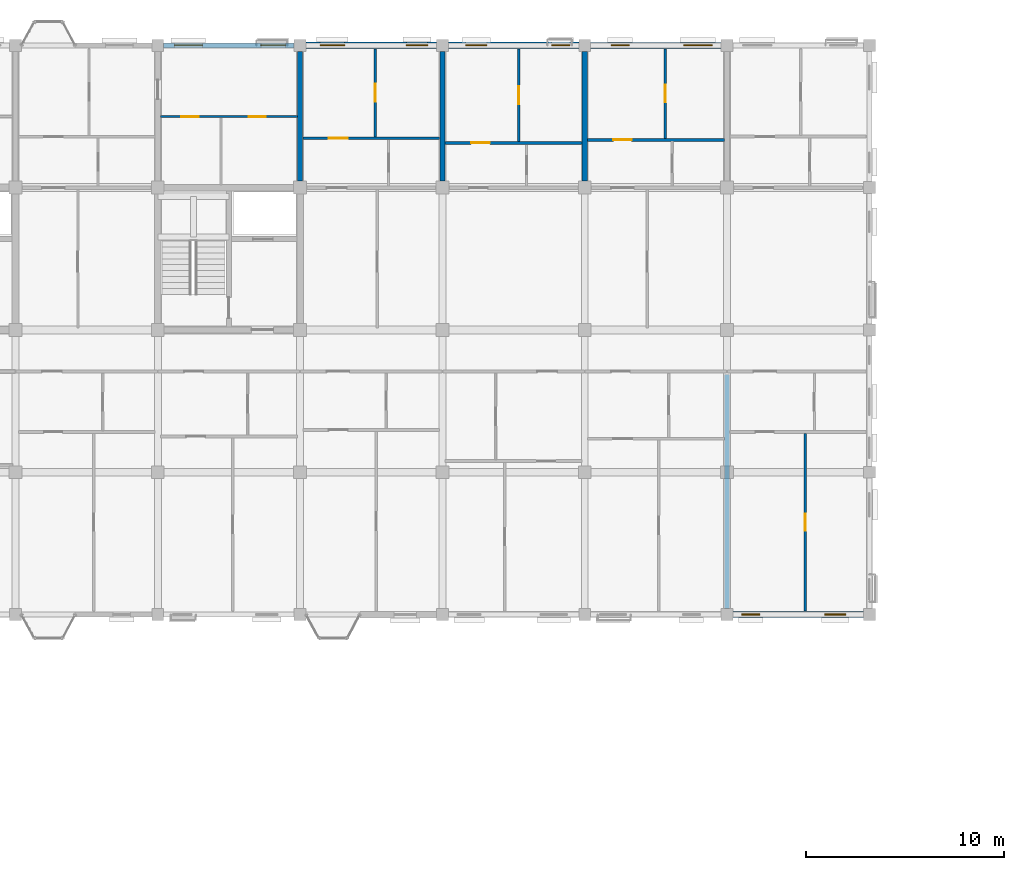
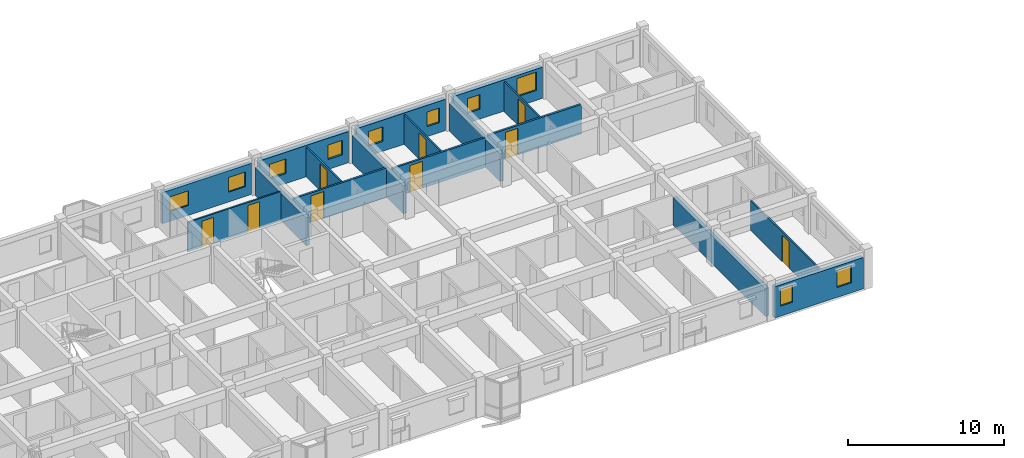
# One storey, part 111 of 124: 17 walls, 10 windows, 9 doors, 19 openings.
"""IFC4 building model written with IfcOpenShell, lengths in metres."""

from ifc_helpers import new_model, si_unit, direction, frame, frame_2d, origin, place, context, subcontext, project, spatial, rectangle, extrude, material, layer, layer_set, type_object, element, fill, save


model = new_model("IFC4")

# Units and contexts
model_context = context("Model", 3, precision=1e-05, world=origin(), true_north=direction((0.0, 1.0)))
body_context = subcontext(model_context, "Body", "Model", "MODEL_VIEW")
ifc_project = project(units=[si_unit("LENGTHUNIT", "METRE"), si_unit("AREAUNIT", "SQUARE_METRE"), si_unit("VOLUMEUNIT", "CUBIC_METRE"), si_unit("PLANEANGLEUNIT", "RADIAN"), si_unit("MASSUNIT", "GRAM", prefix="KILO"), si_unit("THERMODYNAMICTEMPERATUREUNIT", "KELVIN"), si_unit("POWERUNIT", "WATT")], contexts=[model_context])

# Site, building, storey
site_placement = place(None, origin())
site = spatial("IfcSite", under=ifc_project, at=site_placement, CompositionType="ELEMENT")
building_placement = place(site_placement, origin())
building = spatial("IfcBuilding", under=site, at=building_placement, Name="Tavuni Mirador Residences", CompositionType="ELEMENT")
storey_placement = place(building_placement, frame((0.0, 0.0, 7.64990234375)))
storey = spatial("IfcBuildingStorey", under=building, at=storey_placement, Name="L02", CompositionType="ELEMENT", Elevation=7.64990234375)

# Wall, openings, windows
ifc_material_1 = material(Name="Precast concrete C40/50", Category="concrete")
ifc_layer_1 = layer(ifc_material_1, 0.330078125, Name="Precast concrete C40/50", Category="concrete")
ifc_layer_set_1 = layer_set([ifc_layer_1], Name="Precast concrete C40/50")
wall_type_1 = type_object("IfcWallType", Name="WT-EXT-COR330", PredefinedType="SOLIDWALL", material=ifc_layer_set_1)
wall_1_placement = place(storey_placement, frame((53.699951171875, 172.800048828125, 0.0), z_axis=(0.0, 0.0, 1.0), x_axis=(-1.0, 0.0, 0.0)))
wall_1 = element("IfcWall", 1, at=wall_1_placement, inside=storey, type_object=wall_type_1, Name="EW-BLK-C-L02-N05", PredefinedType="SOLIDWALL", context=body_context, shape_type="SweptSolid", body=[
    extrude(rectangle(XDim=6.599853515625, YDim=0.330078125, at=frame_2d((3.2998046875, 0.0))), origin(), (0.0, 0.0, 1.0), 2.455078125),
])
opening_1_placement = place(wall_1_placement, frame((0.449951171875, 0.0, 0.780029296875)))
opening_1 = element("IfcOpeningElement", 2, at=opening_1_placement, cuts=wall_1, Name="Opening WN-04", PredefinedType="OPENING", context=body_context, shape_type="SweptSolid", body=[
    extrude(rectangle(XDim=1.080078125, YDim=1.14990234375, at=frame_2d((0.5400390625, 0.574951171875))), frame((0.0, 0.175048828125, 0.0), z_axis=(0.0, -1.0, 0.0), x_axis=(1.0, 0.0, 0.0)), (0.0, 0.0, 1.0), 0.35009765625),
])
opening_2_placement = place(wall_1_placement, frame((4.64990234375, 0.0, 0.780029296875)))
opening_2 = element("IfcOpeningElement", 3, at=opening_2_placement, cuts=wall_1, Name="Opening WN-06", PredefinedType="OPENING", context=body_context, shape_type="SweptSolid", body=[
    extrude(rectangle(XDim=1.239990234375, YDim=1.14990234375, at=frame_2d((0.6201171875, 0.574951171875))), frame((0.0, 0.175048828125, 0.0), z_axis=(0.0, -1.0, 0.0), x_axis=(1.0, 0.0, 0.0)), (0.0, 0.0, 1.0), 0.35009765625),
])
ifc_material_2 = material(Name="Laminated solar-control glass", Category="glass")
window_type_1 = type_object("IfcWindowType", Name="WNT-04", PartitioningType="SINGLE_PANEL", PredefinedType="WINDOW", material=ifc_material_2)
window_1_placement = place(opening_1_placement, origin())
window_1 = element("IfcWindow", 4, at=window_1_placement, inside=storey, type_object=window_type_1, Name="WIN-0931", OverallHeight=1.14990234375, OverallWidth=1.080078125, PartitioningType="SINGLE_PANEL", PredefinedType="WINDOW", context=body_context, shape_type="SweptSolid", body=[
    extrude(rectangle(XDim=1.080078125, YDim=1.14990234375, at=frame_2d((0.5400390625, 0.574951171875))), frame((0.0, 0.030029296875, 0.0), z_axis=(0.0, -1.0, 0.0), x_axis=(1.0, 0.0, 0.0)), (0.0, 0.0, 1.0), 0.06005859375),
])
fill(opening_1, window_1)
window_type_2 = type_object("IfcWindowType", Name="WNT-06", PartitioningType="SINGLE_PANEL", PredefinedType="WINDOW", material=ifc_material_2)
window_2_placement = place(opening_2_placement, origin())
window_2 = element("IfcWindow", 5, at=window_2_placement, inside=storey, type_object=window_type_2, Name="WIN-0932", OverallHeight=1.14990234375, OverallWidth=1.239990234375, PartitioningType="SINGLE_PANEL", PredefinedType="WINDOW", context=body_context, shape_type="SweptSolid", body=[
    extrude(rectangle(XDim=1.239990234375, YDim=1.14990234375, at=frame_2d((0.6201171875, 0.574951171875))), frame((0.0, 0.030029296875, 0.0), z_axis=(0.0, -1.0, 0.0), x_axis=(1.0, 0.0, 0.0)), (0.0, 0.0, 1.0), 0.06005859375),
])
fill(opening_2, window_2)

ifc_material_3 = material(Name="Sgraffito lime-rendered precast concrete C40/50", Category="concrete")
ifc_layer_2 = layer(ifc_material_3, 0.2451171875, Name="Sgraffito lime-rendered precast concrete C40/50", Category="concrete")
ifc_layer_set_2 = layer_set([ifc_layer_2], Name="Sgraffito lime-rendered precast concrete C40/50")
wall_type_2 = type_object("IfcWallType", Name="WT-EXT-PC245", PredefinedType="SOLIDWALL", material=ifc_layer_set_2)
wall_2_placement = place(storey_placement, frame((46.5, 172.800048828125, 0.0), z_axis=(0.0, 0.0, 1.0), x_axis=(-1.0, 0.0, 0.0)))
wall_2 = element("IfcWall", 6, at=wall_2_placement, inside=storey, type_object=wall_type_2, Name="EW-BLK-C-L02-N04", PredefinedType="SOLIDWALL", context=body_context, shape_type="SweptSolid", body=[
    extrude(rectangle(XDim=6.60009765625, YDim=0.2451171875, at=frame_2d((3.300048828125, 0.0))), origin(), (0.0, 0.0, 1.0), 2.455078125),
])
opening_3_placement = place(wall_2_placement, frame((0.449951171875, 0.0, 0.780029296875)))
opening_3 = element("IfcOpeningElement", 7, at=opening_3_placement, cuts=wall_2, Name="Opening WN-06", PredefinedType="OPENING", context=body_context, shape_type="SweptSolid", body=[
    extrude(rectangle(XDim=1.239990234375, YDim=1.14990234375, at=frame_2d((0.6201171875, 0.574951171875))), frame((0.0, 0.132568359375, 0.0), z_axis=(0.0, -1.0, 0.0), x_axis=(1.0, 0.0, 0.0)), (0.0, 0.0, 1.0), 0.26513671875),
])
opening_4_placement = place(wall_2_placement, frame((4.64990234375, 0.0, 0.780029296875)))
opening_4 = element("IfcOpeningElement", 8, at=opening_4_placement, cuts=wall_2, Name="Opening WN-08", PredefinedType="OPENING", context=body_context, shape_type="SweptSolid", body=[
    extrude(rectangle(XDim=1.39990234375, YDim=1.14990234375, at=frame_2d((0.699951171875, 0.574951171875))), frame((0.0, 0.132568359375, 0.0), z_axis=(0.0, -1.0, 0.0), x_axis=(1.0, 0.0, 0.0)), (0.0, 0.0, 1.0), 0.26513671875),
])
window_3_placement = place(opening_3_placement, origin())
window_3 = element("IfcWindow", 9, at=window_3_placement, inside=storey, type_object=window_type_2, Name="WIN-0933", OverallHeight=1.14990234375, OverallWidth=1.239990234375, PartitioningType="SINGLE_PANEL", PredefinedType="WINDOW", context=body_context, shape_type="SweptSolid", body=[
    extrude(rectangle(XDim=1.239990234375, YDim=1.14990234375, at=frame_2d((0.6201171875, 0.574951171875))), frame((0.0, 0.030029296875, 0.0), z_axis=(0.0, -1.0, 0.0), x_axis=(1.0, 0.0, 0.0)), (0.0, 0.0, 1.0), 0.06005859375),
])
fill(opening_3, window_3)
window_type_3 = type_object("IfcWindowType", Name="WNT-08", PartitioningType="SINGLE_PANEL", PredefinedType="WINDOW", material=ifc_material_2)
window_4_placement = place(opening_4_placement, origin())
window_4 = element("IfcWindow", 10, at=window_4_placement, inside=storey, type_object=window_type_3, Name="WIN-0934", OverallHeight=1.14990234375, OverallWidth=1.39990234375, PartitioningType="SINGLE_PANEL", PredefinedType="WINDOW", context=body_context, shape_type="SweptSolid", body=[
    extrude(rectangle(XDim=1.39990234375, YDim=1.14990234375, at=frame_2d((0.699951171875, 0.574951171875))), frame((0.0, 0.030029296875, 0.0), z_axis=(0.0, -1.0, 0.0), x_axis=(1.0, 0.0, 0.0)), (0.0, 0.0, 1.0), 0.06005859375),
])
fill(opening_4, window_4)

ifc_layer_3 = layer(ifc_material_3, 0.2900390625, Name="Sgraffito lime-rendered precast concrete C40/50", Category="concrete")
ifc_layer_set_3 = layer_set([ifc_layer_3], Name="Sgraffito lime-rendered precast concrete C40/50")
wall_type_3 = type_object("IfcWallType", Name="WT-EXT-PC290", PredefinedType="SOLIDWALL", material=ifc_layer_set_3)
wall_3_placement = place(storey_placement, frame((68.699951171875, 144.0, 0.0), z_axis=(0.0, 0.0, 1.0), x_axis=(1.0, 0.0, 0.0)))
wall_3 = element("IfcWall", 11, at=wall_3_placement, inside=storey, type_object=wall_type_3, Name="EW-BLK-C-L02-S08", PredefinedType="SOLIDWALL", context=body_context, shape_type="SweptSolid", body=[
    extrude(rectangle(XDim=6.60009765625, YDim=0.2900390625, at=frame_2d((3.300048828125, 0.0))), origin(), (0.0, 0.0, 1.0), 2.455078125),
])
opening_5_placement = place(wall_3_placement, frame((0.449951171875, 0.0, 0.780029296875)))
opening_5 = element("IfcOpeningElement", 12, at=opening_5_placement, cuts=wall_3, Name="Opening WN-17", PredefinedType="OPENING", context=body_context, shape_type="SweptSolid", body=[
    extrude(rectangle(XDim=0.89990234375, YDim=1.360107421875, at=frame_2d((0.449951171875, 0.68017578125))), frame((0.0, 0.155029296875, 0.0), z_axis=(0.0, -1.0, 0.0), x_axis=(1.0, 0.0, 0.0)), (0.0, 0.0, 1.0), 0.31005859375),
])
opening_6_placement = place(wall_3_placement, frame((4.64990234375, 0.0, 0.780029296875)))
opening_6 = element("IfcOpeningElement", 13, at=opening_6_placement, cuts=wall_3, Name="Opening WN-19", PredefinedType="OPENING", context=body_context, shape_type="SweptSolid", body=[
    extrude(rectangle(XDim=1.06005859375, YDim=1.360107421875, at=frame_2d((0.530029296875, 0.68017578125))), frame((0.0, 0.155029296875, 0.0), z_axis=(0.0, -1.0, 0.0), x_axis=(1.0, 0.0, 0.0)), (0.0, 0.0, 1.0), 0.31005859375),
])
window_type_4 = type_object("IfcWindowType", Name="WNT-17", PartitioningType="SINGLE_PANEL", PredefinedType="WINDOW", material=ifc_material_2)
window_5_placement = place(opening_5_placement, origin())
window_5 = element("IfcWindow", 14, at=window_5_placement, inside=storey, type_object=window_type_4, Name="WIN-0914", OverallHeight=1.360107421875, OverallWidth=0.89990234375, PartitioningType="SINGLE_PANEL", PredefinedType="WINDOW", context=body_context, shape_type="SweptSolid", body=[
    extrude(rectangle(XDim=0.89990234375, YDim=1.360107421875, at=frame_2d((0.449951171875, 0.68017578125))), frame((0.0, 0.030029296875, 0.0), z_axis=(0.0, -1.0, 0.0), x_axis=(1.0, 0.0, 0.0)), (0.0, 0.0, 1.0), 0.06005859375),
])
fill(opening_5, window_5)
window_type_5 = type_object("IfcWindowType", Name="WNT-19", PartitioningType="SINGLE_PANEL", PredefinedType="WINDOW", material=ifc_material_2)
window_6_placement = place(opening_6_placement, origin())
window_6 = element("IfcWindow", 15, at=window_6_placement, inside=storey, type_object=window_type_5, Name="WIN-0915", OverallHeight=1.360107421875, OverallWidth=1.06005859375, PartitioningType="SINGLE_PANEL", PredefinedType="WINDOW", context=body_context, shape_type="SweptSolid", body=[
    extrude(rectangle(XDim=1.06005859375, YDim=1.360107421875, at=frame_2d((0.530029296875, 0.68017578125))), frame((0.0, 0.030029296875, 0.0), z_axis=(0.0, -1.0, 0.0), x_axis=(1.0, 0.0, 0.0)), (0.0, 0.0, 1.0), 0.06005859375),
])
fill(opening_6, window_6)

ifc_layer_4 = layer(ifc_material_3, 0.304931640625, Name="Sgraffito lime-rendered precast concrete C40/50", Category="concrete")
ifc_layer_set_4 = layer_set([ifc_layer_4], Name="Sgraffito lime-rendered precast concrete C40/50")
wall_type_4 = type_object("IfcWallType", Name="WT-EXT-PC305", PredefinedType="SOLIDWALL", material=ifc_layer_set_4)
wall_4_placement = place(storey_placement, frame((68.10009765625, 172.800048828125, 0.0), z_axis=(0.0, 0.0, 1.0), x_axis=(-1.0, 0.0, 0.0)))
wall_4 = element("IfcWall", 16, at=wall_4_placement, inside=storey, type_object=wall_type_4, Name="EW-BLK-C-L02-N07", PredefinedType="SOLIDWALL", context=body_context, shape_type="SweptSolid", body=[
    extrude(rectangle(XDim=6.60009765625, YDim=0.304931640625, at=frame_2d((3.300048828125, 0.0))), origin(), (0.0, 0.0, 1.0), 2.455078125),
])
opening_7_placement = place(wall_4_placement, frame((0.449951171875, 0.0, 0.780029296875)))
opening_7 = element("IfcOpeningElement", 17, at=opening_7_placement, cuts=wall_4, Name="Opening WN-30", PredefinedType="OPENING", context=body_context, shape_type="SweptSolid", body=[
    extrude(rectangle(XDim=1.449951171875, YDim=1.43994140625, at=frame_2d((0.72509765625, 0.719970703125))), frame((0.0, 0.16259765625, 0.0), z_axis=(0.0, -1.0, 0.0), x_axis=(1.0, 0.0, 0.0)), (0.0, 0.0, 1.0), 0.324951171875),
])
opening_8_placement = place(wall_4_placement, frame((4.64990234375, 0.0, 0.780029296875)))
opening_8 = element("IfcOpeningElement", 18, at=opening_8_placement, cuts=wall_4, Name="Opening WN-02", PredefinedType="OPENING", context=body_context, shape_type="SweptSolid", body=[
    extrude(rectangle(XDim=0.919921875, YDim=1.14990234375, at=frame_2d((0.4599609375, 0.574951171875))), frame((0.0, 0.16259765625, 0.0), z_axis=(0.0, -1.0, 0.0), x_axis=(1.0, 0.0, 0.0)), (0.0, 0.0, 1.0), 0.324951171875),
])
window_type_6 = type_object("IfcWindowType", Name="WNT-02", PartitioningType="SINGLE_PANEL", PredefinedType="WINDOW", material=ifc_material_2)
window_7_placement = place(opening_8_placement, origin())
window_7 = element("IfcWindow", 19, at=window_7_placement, inside=storey, type_object=window_type_6, Name="WIN-0928", OverallHeight=1.14990234375, OverallWidth=0.919921875, PartitioningType="SINGLE_PANEL", PredefinedType="WINDOW", context=body_context, shape_type="SweptSolid", body=[
    extrude(rectangle(XDim=0.919921875, YDim=1.14990234375, at=frame_2d((0.4599609375, 0.574951171875))), frame((0.0, 0.030029296875, 0.0), z_axis=(0.0, -1.0, 0.0), x_axis=(1.0, 0.0, 0.0)), (0.0, 0.0, 1.0), 0.06005859375),
])
fill(opening_8, window_7)
window_type_7 = type_object("IfcWindowType", Name="WNT-30", PartitioningType="SINGLE_PANEL", PredefinedType="WINDOW", material=ifc_material_2)
window_8_placement = place(opening_7_placement, origin())
window_8 = element("IfcWindow", 20, at=window_8_placement, inside=storey, type_object=window_type_7, Name="WIN-0927", OverallHeight=1.43994140625, OverallWidth=1.449951171875, PartitioningType="SINGLE_PANEL", PredefinedType="WINDOW", context=body_context, shape_type="SweptSolid", body=[
    extrude(rectangle(XDim=1.449951171875, YDim=1.43994140625, at=frame_2d((0.72509765625, 0.719970703125))), frame((0.0, 0.030029296875, 0.0), z_axis=(0.0, -1.0, 0.0), x_axis=(1.0, 0.0, 0.0)), (0.0, 0.0, 1.0), 0.06005859375),
])
fill(opening_7, window_8)

ifc_layer_5 = layer(ifc_material_3, 0.31494140625, Name="Sgraffito lime-rendered precast concrete C40/50", Category="concrete")
ifc_layer_set_5 = layer_set([ifc_layer_5], Name="Sgraffito lime-rendered precast concrete C40/50")
wall_type_5 = type_object("IfcWallType", Name="WT-EXT-PC315", PredefinedType="SOLIDWALL", material=ifc_layer_set_5)
wall_5_placement = place(storey_placement, frame((60.89990234375, 172.800048828125, 0.0), z_axis=(0.0, 0.0, 1.0), x_axis=(-1.0, 0.0, 0.0)))
wall_5 = element("IfcWall", 21, at=wall_5_placement, inside=storey, type_object=wall_type_5, Name="EW-BLK-C-L02-N06", PredefinedType="SOLIDWALL", context=body_context, shape_type="SweptSolid", body=[
    extrude(rectangle(XDim=6.599853515625, YDim=0.31494140625, at=frame_2d((3.2998046875, 0.0))), origin(), (0.0, 0.0, 1.0), 2.455078125),
])
opening_9_placement = place(wall_5_placement, frame((0.449951171875, 0.0, 0.780029296875)))
opening_9 = element("IfcOpeningElement", 22, at=opening_9_placement, cuts=wall_5, Name="Opening WN-02", PredefinedType="OPENING", context=body_context, shape_type="SweptSolid", body=[
    extrude(rectangle(XDim=0.919921875, YDim=1.14990234375, at=frame_2d((0.4599609375, 0.574951171875))), frame((0.0, 0.16748046875, 0.0), z_axis=(0.0, -1.0, 0.0), x_axis=(1.0, 0.0, 0.0)), (0.0, 0.0, 1.0), 0.3349609375),
])
opening_10_placement = place(wall_5_placement, frame((4.64990234375, 0.0, 0.780029296875)))
opening_10 = element("IfcOpeningElement", 23, at=opening_10_placement, cuts=wall_5, Name="Opening WN-04", PredefinedType="OPENING", context=body_context, shape_type="SweptSolid", body=[
    extrude(rectangle(XDim=1.080078125, YDim=1.14990234375, at=frame_2d((0.5400390625, 0.574951171875))), frame((0.0, 0.16748046875, 0.0), z_axis=(0.0, -1.0, 0.0), x_axis=(1.0, 0.0, 0.0)), (0.0, 0.0, 1.0), 0.3349609375),
])
window_9_placement = place(opening_9_placement, origin())
window_9 = element("IfcWindow", 24, at=window_9_placement, inside=storey, type_object=window_type_6, Name="WIN-0929", OverallHeight=1.14990234375, OverallWidth=0.919921875, PartitioningType="SINGLE_PANEL", PredefinedType="WINDOW", context=body_context, shape_type="SweptSolid", body=[
    extrude(rectangle(XDim=0.919921875, YDim=1.14990234375, at=frame_2d((0.4599609375, 0.574951171875))), frame((0.0, 0.030029296875, 0.0), z_axis=(0.0, -1.0, 0.0), x_axis=(1.0, 0.0, 0.0)), (0.0, 0.0, 1.0), 0.06005859375),
])
fill(opening_9, window_9)
window_10_placement = place(opening_10_placement, origin())
window_10 = element("IfcWindow", 25, at=window_10_placement, inside=storey, type_object=window_type_1, Name="WIN-0930", OverallHeight=1.14990234375, OverallWidth=1.080078125, PartitioningType="SINGLE_PANEL", PredefinedType="WINDOW", context=body_context, shape_type="SweptSolid", body=[
    extrude(rectangle(XDim=1.080078125, YDim=1.14990234375, at=frame_2d((0.5400390625, 0.574951171875))), frame((0.0, 0.030029296875, 0.0), z_axis=(0.0, -1.0, 0.0), x_axis=(1.0, 0.0, 0.0)), (0.0, 0.0, 1.0), 0.06005859375),
])
fill(opening_10, window_10)

# Wall, openings, doors
ifc_material_4 = material(Name="Acoustic gypsum and concrete block partition", Category="concrete")
ifc_layer_6 = layer(ifc_material_4, 0.114990234375, Name="Acoustic gypsum and concrete block partition", Category="concrete")
ifc_layer_set_6 = layer_set([ifc_layer_6], Name="Acoustic gypsum and concrete block partition")
wall_type_6 = type_object("IfcWallType", Name="WT-PART115", PredefinedType="PARTITIONING", material=ifc_layer_set_6)
wall_6_placement = place(storey_placement, frame((39.739990234375, 169.199951171875, 0.0), z_axis=(0.0, 0.0, 1.0), x_axis=(1.0, 0.0, 0.0)))
wall_6 = element("IfcWall", 26, at=wall_6_placement, inside=storey, type_object=wall_type_6, Name="PW-BLK-C-L02-NC04-M", PredefinedType="PARTITIONING", context=body_context, shape_type="SweptSolid", body=[
    extrude(rectangle(XDim=6.919921875, YDim=0.114990234375, at=frame_2d((3.4599609375, 0.0))), origin(), (0.0, 0.0, 1.0), 2.320068359375),
])
opening_11_placement = place(wall_6_placement, frame((1.050048828125, 0.0, 0.0)))
opening_11 = element("IfcOpeningElement", 27, at=opening_11_placement, cuts=wall_6, Name="Opening D-10", PredefinedType="OPENING", context=body_context, shape_type="SweptSolid", body=[
    extrude(rectangle(XDim=0.8701171875, YDim=2.050048828125, at=frame_2d((0.43505859375, 1.02490234375))), frame((0.0, 0.0673828125, 0.0), z_axis=(0.0, -1.0, 0.0), x_axis=(1.0, 0.0, 0.0)), (0.0, 0.0, 1.0), 0.135009765625),
])
opening_12_placement = place(wall_6_placement, frame((4.449951171875, 0.0, 0.0)))
opening_12 = element("IfcOpeningElement", 28, at=opening_12_placement, cuts=wall_6, Name="Opening D-08", PredefinedType="OPENING", context=body_context, shape_type="SweptSolid", body=[
    extrude(rectangle(XDim=0.8798828125, YDim=2.080078125, at=frame_2d((0.43994140625, 1.0400390625))), frame((0.0, 0.0673828125, 0.0), z_axis=(0.0, -1.0, 0.0), x_axis=(1.0, 0.0, 0.0)), (0.0, 0.0, 1.0), 0.135009765625),
])
ifc_material_5 = material(Name="Solid core iroko timber", Category="wood")
door_type_1 = type_object("IfcDoorType", Name="DT-BED880", OperationType="NOTDEFINED", PredefinedType="DOOR", material=ifc_material_5)
door_1_placement = place(opening_12_placement, origin())
door_1 = element("IfcDoor", 29, at=door_1_placement, inside=storey, type_object=door_type_1, Name="DR-3768", OperationType="SINGLE_SWING_RIGHT", OverallHeight=2.080078125, OverallWidth=0.8798828125, PredefinedType="DOOR", context=body_context, shape_type="SweptSolid", body=[
    extrude(rectangle(XDim=0.8798828125, YDim=2.080078125, at=frame_2d((0.43994140625, 1.0400390625))), frame((0.0, 0.02490234375, 0.0), z_axis=(0.0, -1.0, 0.0), x_axis=(1.0, 0.0, 0.0)), (0.0, 0.0, 1.0), 0.050048828125),
])
fill(opening_12, door_1)
door_type_2 = type_object("IfcDoorType", Name="DT-WC870", OperationType="NOTDEFINED", PredefinedType="DOOR", material=ifc_material_5)
door_2_placement = place(opening_11_placement, origin())
door_2 = element("IfcDoor", 30, at=door_2_placement, inside=storey, type_object=door_type_2, Name="DR-3767", OperationType="SINGLE_SWING_LEFT", OverallHeight=2.050048828125, OverallWidth=0.8701171875, PredefinedType="DOOR", context=body_context, shape_type="SweptSolid", body=[
    extrude(rectangle(XDim=0.8701171875, YDim=2.050048828125, at=frame_2d((0.43505859375, 1.02490234375))), frame((0.0, 0.02490234375, 0.0), z_axis=(0.0, -1.0, 0.0), x_axis=(1.0, 0.0, 0.0)), (0.0, 0.0, 1.0), 0.050048828125),
])
fill(opening_11, door_2)

# Wall, opening, door
wall_7_placement = place(storey_placement, frame((50.60009765625, 168.169921875, 0.0), z_axis=(0.0, 0.0, 1.0), x_axis=(0.0, 1.0, 0.0)))
wall_7 = element("IfcWall", 31, at=wall_7_placement, inside=storey, type_object=wall_type_6, Name="PW-BLK-C-L02-N05-OUT", PredefinedType="PARTITIONING", context=body_context, shape_type="SweptSolid", body=[
    extrude(rectangle(XDim=4.455078125, YDim=0.114990234375, at=frame_2d((2.2275390625, 0.0))), origin(), (0.0, 0.0, 1.0), 2.320068359375),
])
opening_13_placement = place(wall_7_placement, frame((1.777587890625, 0.0, 0.0)))
opening_13 = element("IfcOpeningElement", 32, at=opening_13_placement, cuts=wall_7, Name="Opening D-07", PredefinedType="OPENING", context=body_context, shape_type="SweptSolid", body=[
    extrude(rectangle(XDim=0.89990234375, YDim=2.10009765625, at=frame_2d((0.449951171875, 1.050048828125))), frame((0.0, 0.0673828125, 0.0), z_axis=(0.0, -1.0, 0.0), x_axis=(1.0, 0.0, 0.0)), (0.0, 0.0, 1.0), 0.135009765625),
])
door_type_3 = type_object("IfcDoorType", Name="DT-BED900", OperationType="NOTDEFINED", PredefinedType="DOOR", material=ifc_material_5)
door_3_placement = place(opening_13_placement, origin())
door_3 = element("IfcDoor", 33, at=door_3_placement, inside=storey, type_object=door_type_3, Name="DR-3773", OperationType="SINGLE_SWING_RIGHT", OverallHeight=2.10009765625, OverallWidth=0.89990234375, PredefinedType="DOOR", context=body_context, shape_type="SweptSolid", body=[
    extrude(rectangle(XDim=0.89990234375, YDim=2.10009765625, at=frame_2d((0.449951171875, 1.050048828125))), frame((0.0, 0.02490234375, 0.0), z_axis=(0.0, -1.0, 0.0), x_axis=(1.0, 0.0, 0.0)), (0.0, 0.0, 1.0), 0.050048828125),
])
fill(opening_13, door_3)

wall_8_placement = place(storey_placement, frame((57.860107421875, 167.929931640625, 0.0), z_axis=(0.0, 0.0, 1.0), x_axis=(0.0, 1.0, 0.0)))
wall_8 = element("IfcWall", 34, at=wall_8_placement, inside=storey, type_object=wall_type_6, Name="PW-BLK-C-L02-N06-OUT", PredefinedType="PARTITIONING", context=body_context, shape_type="SweptSolid", body=[
    extrude(rectangle(XDim=4.695068359375, YDim=0.114990234375, at=frame_2d((2.34765625, 0.0))), origin(), (0.0, 0.0, 1.0), 2.320068359375),
])
opening_14_placement = place(wall_8_placement, frame((1.8974609375, 0.0, 0.0)))
opening_14 = element("IfcOpeningElement", 35, at=opening_14_placement, cuts=wall_8, Name="Opening D-07", PredefinedType="OPENING", context=body_context, shape_type="SweptSolid", body=[
    extrude(rectangle(XDim=0.89990234375, YDim=2.10009765625, at=frame_2d((0.449951171875, 1.050048828125))), frame((0.0, 0.0673828125, 0.0), z_axis=(0.0, -1.0, 0.0), x_axis=(1.0, 0.0, 0.0)), (0.0, 0.0, 1.0), 0.135009765625),
])
door_4_placement = place(opening_14_placement, origin())
door_4 = element("IfcDoor", 36, at=door_4_placement, inside=storey, type_object=door_type_3, Name="DR-3779", OperationType="SINGLE_SWING_RIGHT", OverallHeight=2.10009765625, OverallWidth=0.89990234375, PredefinedType="DOOR", context=body_context, shape_type="SweptSolid", body=[
    extrude(rectangle(XDim=0.89990234375, YDim=2.10009765625, at=frame_2d((0.449951171875, 1.050048828125))), frame((0.0, 0.02490234375, 0.0), z_axis=(0.0, -1.0, 0.0), x_axis=(1.0, 0.0, 0.0)), (0.0, 0.0, 1.0), 0.050048828125),
])
fill(opening_14, door_4)

wall_9_placement = place(storey_placement, frame((72.35009765625, 144.175048828125, 0.0), z_axis=(0.0, 0.0, 1.0), x_axis=(0.0, 1.0, 0.0)))
wall_9 = element("IfcWall", 37, at=wall_9_placement, inside=storey, type_object=wall_type_6, Name="PW-BLK-C-L02-S08-OUT", PredefinedType="PARTITIONING", context=body_context, shape_type="SweptSolid", body=[
    extrude(rectangle(XDim=8.994873046875, YDim=0.114990234375, at=frame_2d((4.49755859375, 0.0))), origin(), (0.0, 0.0, 1.0), 2.320068359375),
])
opening_15_placement = place(wall_9_placement, frame((4.0576171875, 0.0, 0.0)))
opening_15 = element("IfcOpeningElement", 38, at=opening_15_placement, cuts=wall_9, Name="Opening D-08", PredefinedType="OPENING", context=body_context, shape_type="SweptSolid", body=[
    extrude(rectangle(XDim=0.8798828125, YDim=2.080078125, at=frame_2d((0.43994140625, 1.0400390625))), frame((0.0, 0.0673828125, 0.0), z_axis=(0.0, -1.0, 0.0), x_axis=(1.0, 0.0, 0.0)), (0.0, 0.0, 1.0), 0.135009765625),
])
door_5_placement = place(opening_15_placement, origin())
door_5 = element("IfcDoor", 39, at=door_5_placement, inside=storey, type_object=door_type_1, Name="DR-3789", OperationType="SINGLE_SWING_LEFT", OverallHeight=2.080078125, OverallWidth=0.8798828125, PredefinedType="DOOR", context=body_context, shape_type="SweptSolid", body=[
    extrude(rectangle(XDim=0.8798828125, YDim=2.080078125, at=frame_2d((0.43994140625, 1.0400390625))), frame((0.0, 0.02490234375, 0.0), z_axis=(0.0, -1.0, 0.0), x_axis=(1.0, 0.0, 0.0)), (0.0, 0.0, 1.0), 0.050048828125),
])
fill(opening_15, door_5)

ifc_layer_7 = layer(ifc_material_4, 0.125, Name="Acoustic gypsum and concrete block partition", Category="concrete")
ifc_layer_set_7 = layer_set([ifc_layer_7], Name="Acoustic gypsum and concrete block partition")
wall_type_7 = type_object("IfcWallType", Name="WT-PART125", PredefinedType="PARTITIONING", material=ifc_layer_set_7)
wall_10_placement = place(storey_placement, frame((65.280029296875, 168.090087890625, 0.0), z_axis=(0.0, 0.0, 1.0), x_axis=(0.0, 1.0, 0.0)))
wall_10 = element("IfcWall", 40, at=wall_10_placement, inside=storey, type_object=wall_type_7, Name="PW-BLK-C-L02-N07-OUT", PredefinedType="PARTITIONING", context=body_context, shape_type="SweptSolid", body=[
    extrude(rectangle(XDim=4.534912109375, YDim=0.125, at=frame_2d((2.267578125, 0.0))), origin(), (0.0, 0.0, 1.0), 2.320068359375),
])
opening_16_placement = place(wall_10_placement, frame((1.827392578125, 0.0, 0.0)))
opening_16 = element("IfcOpeningElement", 41, at=opening_16_placement, cuts=wall_10, Name="Opening D-08", PredefinedType="OPENING", context=body_context, shape_type="SweptSolid", body=[
    extrude(rectangle(XDim=0.8798828125, YDim=2.080078125, at=frame_2d((0.43994140625, 1.0400390625))), frame((0.0, 0.072509765625, 0.0), z_axis=(0.0, -1.0, 0.0), x_axis=(1.0, 0.0, 0.0)), (0.0, 0.0, 1.0), 0.14501953125),
])
door_6_placement = place(opening_16_placement, origin())
door_6 = element("IfcDoor", 42, at=door_6_placement, inside=storey, type_object=door_type_1, Name="DR-3786", OperationType="SINGLE_SWING_LEFT", OverallHeight=2.080078125, OverallWidth=0.8798828125, PredefinedType="DOOR", context=body_context, shape_type="SweptSolid", body=[
    extrude(rectangle(XDim=0.8798828125, YDim=2.080078125, at=frame_2d((0.43994140625, 1.0400390625))), frame((0.0, 0.02490234375, 0.0), z_axis=(0.0, -1.0, 0.0), x_axis=(1.0, 0.0, 0.0)), (0.0, 0.0, 1.0), 0.050048828125),
])
fill(opening_16, door_6)

ifc_layer_8 = layer(ifc_material_4, 0.139892578125, Name="Acoustic gypsum and concrete block partition", Category="concrete")
ifc_layer_set_8 = layer_set([ifc_layer_8], Name="Acoustic gypsum and concrete block partition")
wall_type_8 = type_object("IfcWallType", Name="WT-PART140", PredefinedType="PARTITIONING", material=ifc_layer_set_8)
wall_11_placement = place(storey_placement, frame((46.93994140625, 168.10009765625, 0.0), z_axis=(0.0, 0.0, 1.0), x_axis=(1.0, 0.0, 0.0)))
wall_11 = element("IfcWall", 43, at=wall_11_placement, inside=storey, type_object=wall_type_8, Name="PW-BLK-C-L02-N05-MID", PredefinedType="PARTITIONING", context=body_context, shape_type="SweptSolid", body=[
    extrude(rectangle(XDim=6.920166015625, YDim=0.139892578125, at=frame_2d((3.4599609375, 0.0))), origin(), (0.0, 0.0, 1.0), 2.320068359375),
])
opening_17_placement = place(wall_11_placement, frame((1.31005859375, 0.0, 0.0)))
opening_17 = element("IfcOpeningElement", 44, at=opening_17_placement, cuts=wall_11, Name="Opening D-05", PredefinedType="OPENING", context=body_context, shape_type="SweptSolid", body=[
    extrude(rectangle(XDim=0.949951171875, YDim=2.10009765625, at=frame_2d((0.47509765625, 1.050048828125))), frame((0.0, 0.080078125, 0.0), z_axis=(0.0, -1.0, 0.0), x_axis=(1.0, 0.0, 0.0)), (0.0, 0.0, 1.0), 0.159912109375),
])
door_type_4 = type_object("IfcDoorType", Name="DT-INT950", OperationType="NOTDEFINED", PredefinedType="DOOR", material=ifc_material_5)
door_7_placement = place(opening_17_placement, origin())
door_7 = element("IfcDoor", 45, at=door_7_placement, inside=storey, type_object=door_type_4, Name="DR-3775", OperationType="SINGLE_SWING_LEFT", OverallHeight=2.10009765625, OverallWidth=0.949951171875, PredefinedType="DOOR", context=body_context, shape_type="SweptSolid", body=[
    extrude(rectangle(XDim=0.949951171875, YDim=2.10009765625, at=frame_2d((0.47509765625, 1.050048828125))), frame((0.0, 0.02490234375, 0.0), z_axis=(0.0, -1.0, 0.0), x_axis=(1.0, 0.0, 0.0)), (0.0, 0.0, 1.0), 0.050048828125),
])
fill(opening_17, door_7)

wall_12_placement = place(storey_placement, frame((54.139892578125, 167.860107421875, 0.0), z_axis=(0.0, 0.0, 1.0), x_axis=(1.0, 0.0, 0.0)))
wall_12 = element("IfcWall", 46, at=wall_12_placement, inside=storey, type_object=wall_type_8, Name="PW-BLK-C-L02-N06-MID", PredefinedType="PARTITIONING", context=body_context, shape_type="SweptSolid", body=[
    extrude(rectangle(XDim=6.920166015625, YDim=0.139892578125, at=frame_2d((3.4599609375, 0.0))), origin(), (0.0, 0.0, 1.0), 2.320068359375),
])
opening_18_placement = place(wall_12_placement, frame((1.31005859375, 0.0, 0.0)))
opening_18 = element("IfcOpeningElement", 47, at=opening_18_placement, cuts=wall_12, Name="Opening D-05", PredefinedType="OPENING", context=body_context, shape_type="SweptSolid", body=[
    extrude(rectangle(XDim=0.949951171875, YDim=2.10009765625, at=frame_2d((0.47509765625, 1.050048828125))), frame((0.0, 0.080078125, 0.0), z_axis=(0.0, -1.0, 0.0), x_axis=(1.0, 0.0, 0.0)), (0.0, 0.0, 1.0), 0.159912109375),
])
door_8_placement = place(opening_18_placement, origin())
door_8 = element("IfcDoor", 48, at=door_8_placement, inside=storey, type_object=door_type_4, Name="DR-3781", OperationType="SINGLE_SWING_LEFT", OverallHeight=2.10009765625, OverallWidth=0.949951171875, PredefinedType="DOOR", context=body_context, shape_type="SweptSolid", body=[
    extrude(rectangle(XDim=0.949951171875, YDim=2.10009765625, at=frame_2d((0.47509765625, 1.050048828125))), frame((0.0, 0.02490234375, 0.0), z_axis=(0.0, -1.0, 0.0), x_axis=(1.0, 0.0, 0.0)), (0.0, 0.0, 1.0), 0.050048828125),
])
fill(opening_18, door_8)

ifc_layer_9 = layer(ifc_material_4, 0.14990234375, Name="Acoustic gypsum and concrete block partition", Category="concrete")
ifc_layer_set_9 = layer_set([ifc_layer_9], Name="Acoustic gypsum and concrete block partition")
wall_type_9 = type_object("IfcWallType", Name="WT-PART150", PredefinedType="PARTITIONING", material=ifc_layer_set_9)
wall_13_placement = place(storey_placement, frame((61.340087890625, 168.02001953125, 0.0), z_axis=(0.0, 0.0, 1.0), x_axis=(1.0, 0.0, 0.0)))
wall_13 = element("IfcWall", 49, at=wall_13_placement, inside=storey, type_object=wall_type_9, Name="PW-BLK-C-L02-N07-MID", PredefinedType="PARTITIONING", context=body_context, shape_type="SweptSolid", body=[
    extrude(rectangle(XDim=6.919921875, YDim=0.14990234375, at=frame_2d((3.4599609375, 0.0))), origin(), (0.0, 0.0, 1.0), 2.320068359375),
])
opening_19_placement = place(wall_13_placement, frame((1.31005859375, 0.0, 0.0)))
opening_19 = element("IfcOpeningElement", 50, at=opening_19_placement, cuts=wall_13, Name="Opening D-06", PredefinedType="OPENING", context=body_context, shape_type="SweptSolid", body=[
    extrude(rectangle(XDim=0.919921875, YDim=2.10009765625, at=frame_2d((0.4599609375, 1.050048828125))), frame((0.0, 0.0849609375, 0.0), z_axis=(0.0, -1.0, 0.0), x_axis=(1.0, 0.0, 0.0)), (0.0, 0.0, 1.0), 0.169921875),
])
door_type_5 = type_object("IfcDoorType", Name="DT-INT920", OperationType="NOTDEFINED", PredefinedType="DOOR", material=ifc_material_5)
door_9_placement = place(opening_19_placement, origin())
door_9 = element("IfcDoor", 51, at=door_9_placement, inside=storey, type_object=door_type_5, Name="DR-3788", OperationType="SINGLE_SWING_RIGHT", OverallHeight=2.10009765625, OverallWidth=0.919921875, PredefinedType="DOOR", context=body_context, shape_type="SweptSolid", body=[
    extrude(rectangle(XDim=0.919921875, YDim=2.10009765625, at=frame_2d((0.4599609375, 1.050048828125))), frame((0.0, 0.02490234375, 0.0), z_axis=(0.0, -1.0, 0.0), x_axis=(1.0, 0.0, 0.0)), (0.0, 0.0, 1.0), 0.050048828125),
])
fill(opening_19, door_9)

# Walls
ifc_layer_10 = layer(ifc_material_1, 0.264892578125, Name="Precast concrete C40/50", Category="concrete")
ifc_layer_set_10 = layer_set([ifc_layer_10], Name="Precast concrete C40/50")
wall_type_10 = type_object("IfcWallType", Name="WT-XW265", PredefinedType="SOLIDWALL", material=ifc_layer_set_10)
for number, where, z_axis, x_axis, name in (
    (52, (46.800048828125, 165.925048828125, 0.0), (0.0, 0.0, 1.0), (0.0, 1.0, 0.0), "XW-BLK-C-L02-N-05"),
    (53, (54.0, 165.925048828125, 0.0), (0.0, 0.0, 1.0), (0.0, 1.0, 0.0), "XW-BLK-C-L02-N-06"),
    (54, (61.199951171875, 165.925048828125, 0.0), (0.0, 0.0, 1.0), (0.0, 1.0, 0.0), "XW-BLK-C-L02-N-07"),
):
    element("IfcWall", number, at=place(storey_placement, frame(where, z_axis=z_axis, x_axis=x_axis)), inside=storey, type_object=wall_type_10, Name=name, PredefinedType="SOLIDWALL", context=body_context, shape_type="SweptSolid", body=[
        extrude(rectangle(XDim=6.574951171875, YDim=0.264892578125, at=frame_2d((3.28759765625, 0.0))), origin(), (0.0, 0.0, 1.0), 2.18505859375),
    ])
wall_14_placement = place(storey_placement, frame((68.39990234375, 144.300048828125, 0.0), z_axis=(0.0, 0.0, 1.0), x_axis=(0.0, 1.0, 0.0)))
element("IfcWall", 55, at=wall_14_placement, inside=storey, type_object=wall_type_10, Name="XW-BLK-C-L02-S-08", PredefinedType="SOLIDWALL", context=body_context, shape_type="SweptSolid", body=[
    extrude(rectangle(XDim=11.849853515625, YDim=0.264892578125, at=frame_2d((5.9248046875, 0.0))), origin(), (0.0, 0.0, 1.0), 2.18505859375),
])

save(model, "model.ifc")
